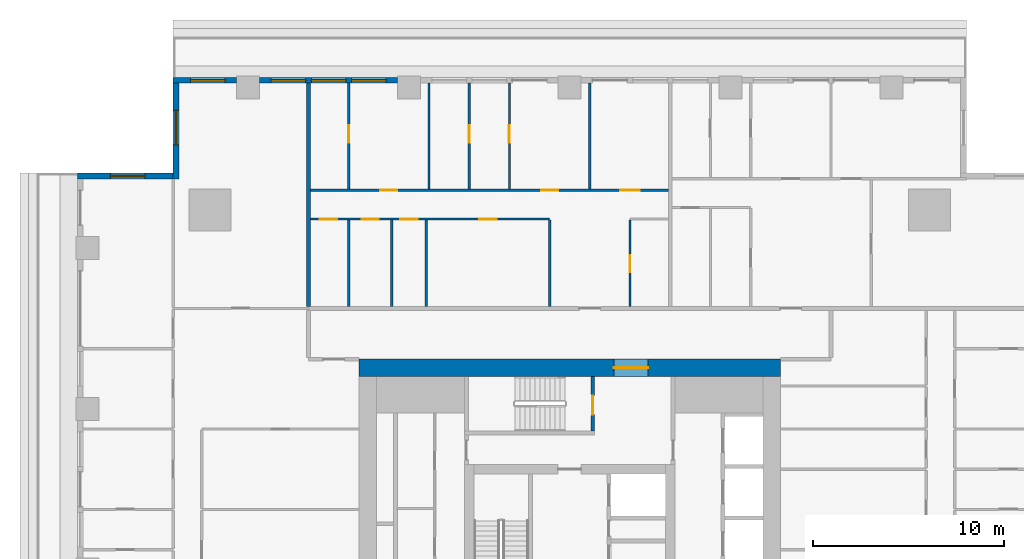
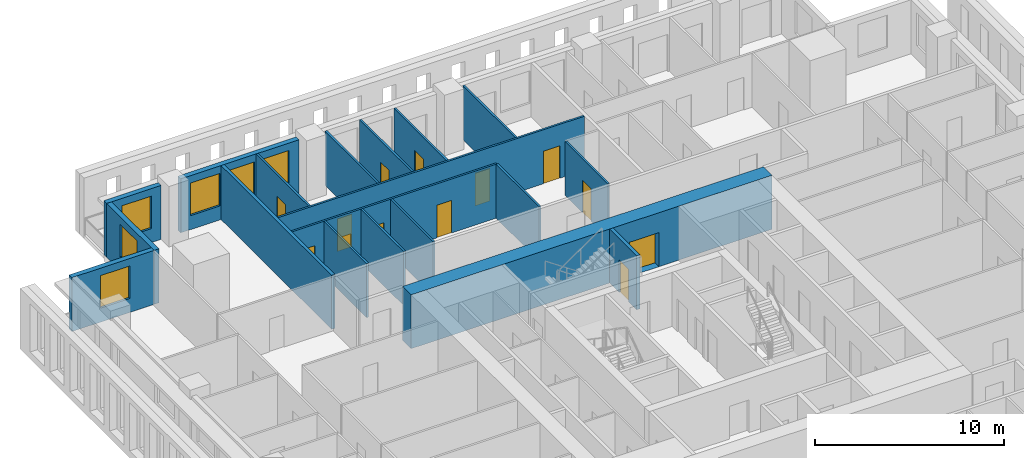
# One storey, part 7 of 15: 19 walls, 13 doors, 6 windows, 19 openings.
"""IFC4 building model written with IfcOpenShell, lengths in metres."""

import ifcopenshell
import ifcopenshell.guid

model = None  # the IFC model being written
_history = None  # IfcOwnerHistory: only IFC2X3 demands one
_inside = {}  # id of a spatial element -> (the spatial element, [elements in it])
_under = {}  # id of a project, library or spatial element -> (it, [spatial elements below it])
_declared = {}  # id of a project -> (the project, [libraries it declares])
_typed = {}  # id of a type object -> (the type object, [elements of that type])
_made_of = {}  # id of a material, layer set ... -> (it, [elements and type objects made of it])


def new_model(schema):
    """Start an empty IFC model of exactly this schema.

    Asked for "IFC4X3", IfcOpenShell would pick the latest addendum, in which some entities
    have other attributes; the version numbers below select the first issue.
    IFC2X3 requires an IfcOwnerHistory on every rooted entity: one is made here for all.
    """
    global model, _history
    if schema == "IFC4X3":
        model = ifcopenshell.file(schema_version=(4, 3, 0, 0))
    else:
        model = ifcopenshell.file(schema=schema)
    _inside.clear()
    _under.clear()
    _declared.clear()
    _typed.clear()
    _made_of.clear()
    _history = None
    if model.schema == "IFC2X3":
        org = make("IfcOrganization", Name="unknown")
        user = make(
            "IfcPersonAndOrganization",
            ThePerson=make("IfcPerson", FamilyName="unknown"),
            TheOrganization=org,
        )
        app = make(
            "IfcApplication",
            ApplicationDeveloper=org,
            Version="unknown",
            ApplicationFullName="unknown",
            ApplicationIdentifier="unknown",
        )
        _history = make(
            "IfcOwnerHistory",
            OwningUser=user,
            OwningApplication=app,
            ChangeAction="ADDED",
            CreationDate=0,
        )
    return model


def make(cls, **values):
    """One entity of the class cls with the attributes given. An attribute that is None is left unset."""
    return model.create_entity(
        cls, **{name: value for name, value in values.items() if value is not None}
    )


def rooted(cls, **values):
    """An entity with a GlobalId (a new one), such as an element, a storey or a relation."""
    return make(cls, GlobalId=ifcopenshell.guid.new(), OwnerHistory=_history, **values)


def si_unit(unit_type, name, prefix=None):
    """IfcSIUnit, for example si_unit("LENGTHUNIT", "METRE", prefix="MILLI")."""
    return make("IfcSIUnit", UnitType=unit_type, Prefix=prefix, Name=name)


def assignment(units):
    """IfcUnitAssignment: the units of a project."""
    return None if units is None else make("IfcUnitAssignment", Units=units)


def point(xyz):
    """IfcCartesianPoint."""
    return None if xyz is None else make("IfcCartesianPoint", Coordinates=xyz)


def direction(xyz):
    """IfcDirection."""
    return None if xyz is None else make("IfcDirection", DirectionRatios=xyz)


def frame(location, z_axis=None, x_axis=None):
    """IfcAxis2Placement3D, a coordinate frame: its origin and axes. An axis left out is left unset."""
    return make(
        "IfcAxis2Placement3D",
        Location=point(location),
        Axis=direction(z_axis),
        RefDirection=direction(x_axis),
    )


def frame_2d(location, x_axis=None):
    """IfcAxis2Placement2D, a coordinate frame in the plane: its origin and x axis."""
    return make(
        "IfcAxis2Placement2D", Location=point(location), RefDirection=direction(x_axis)
    )


def origin():
    """The frame at (0, 0, 0) with its axes left unset."""
    return frame((0.0, 0.0, 0.0))


def place(relative_to, where):
    """IfcLocalPlacement: puts the frame where relative to a parent placement (None: the world)."""
    return make(
        "IfcLocalPlacement", PlacementRelTo=relative_to, RelativePlacement=where
    )


def context(
    kind, dimensions, precision=None, world=None, true_north=None, identifier=None
):
    """IfcGeometricRepresentationContext, for example the 3D "Model" context."""
    return make(
        "IfcGeometricRepresentationContext",
        ContextIdentifier=identifier,
        ContextType=kind,
        CoordinateSpaceDimension=dimensions,
        Precision=precision,
        WorldCoordinateSystem=world,
        TrueNorth=true_north,
    )


def subcontext(parent, identifier, kind, view, scale=None):
    """IfcGeometricRepresentationSubContext, for example "Body" below "Model"."""
    return make(
        "IfcGeometricRepresentationSubContext",
        ContextIdentifier=identifier,
        ContextType=kind,
        ParentContext=parent,
        TargetScale=scale,
        TargetView=view,
    )


def project(units=None, contexts=None):
    """IfcProject with its units and contexts."""
    return rooted(
        "IfcProject",
        Name="project",
        RepresentationContexts=contexts,
        UnitsInContext=assignment(units),
    )


def spatial(cls, under=None, at=None, **own):
    """A site, building, storey or space (cls), placed at a placement, below another one or the project."""
    s = rooted(cls, ObjectPlacement=at, **own)
    if under is not None:
        _under.setdefault(under.id(), (under, []))[1].append(s)
    return s


def profile(cls, at=None, kind="AREA", **sizes):
    """A parametric profile (cls). Its sizes go by their IFC names, for example OverallWidth=200.0."""
    return make(cls, ProfileType=kind, Position=at, **sizes)


def rectangle(**sizes):
    """IfcRectangleProfileDef."""
    return profile("IfcRectangleProfileDef", **sizes)


def extrude(swept, where, along, depth):
    """IfcExtrudedAreaSolid: the profile swept, set in the frame where, extruded along a direction by depth."""
    return make(
        "IfcExtrudedAreaSolid",
        SweptArea=swept,
        Position=where,
        ExtrudedDirection=direction(along),
        Depth=depth,
    )


def shape(context_of_items, identifier, shape_type, items):
    """IfcShapeRepresentation: the items that make up one representation, for example the "Body"."""
    return make(
        "IfcShapeRepresentation",
        ContextOfItems=context_of_items,
        RepresentationIdentifier=identifier,
        RepresentationType=shape_type,
        Items=items,
    )


def material(Name=None, Category=None):
    """IfcMaterial."""
    return make("IfcMaterial", Name=Name, Category=Category)


def layer(
    of_material, thickness, ventilated=None, Name=None, Category=None, Priority=None
):
    """IfcMaterialLayer: one layer of a wall or slab, of a material (None: an air gap)."""
    return make(
        "IfcMaterialLayer",
        Material=of_material,
        LayerThickness=thickness,
        IsVentilated=ventilated,
        Name=Name,
        Category=Category,
        Priority=Priority,
    )


def layer_set(layers, Name=None):
    """IfcMaterialLayerSet."""
    return make("IfcMaterialLayerSet", MaterialLayers=layers, LayerSetName=Name)


def made_of(thing, what):
    """Note that an element or type object is made of a material, layer set ...; save() writes the relation."""
    if what is not None:
        _made_of.setdefault(what.id(), (what, []))[1].append(thing)
    return thing


def type_object(cls, material=None, **own):
    """A type object (cls), such as IfcWallType, which elements share."""
    return made_of(rooted(cls, **own), material)


def element(
    cls,
    number,
    at=None,
    inside=None,
    cuts=None,
    type_object=None,
    material=None,
    context=None,
    identifier="Body",
    shape_type=None,
    held_by="IfcProductDefinitionShape",
    body=None,
    shapes=None,
    **own,
):
    """One element of the class cls, such as IfcWall. Its Tag is "e" and its number.

    at: its placement. inside: the storey or other place that contains it. cuts: it is an
    opening in that element (IfcRelVoidsElement). A single representation is given by context,
    identifier, shape_type and body (its items); several are given by shapes. held_by: the class
    of the entity that holds the representations. save() writes the other relations.
    """
    e = rooted(cls, Tag="e%d" % number, ObjectPlacement=at, **own)
    if body is not None:
        shapes = [shape(context, identifier, shape_type, body)]
    if shapes is not None:
        e.Representation = make(held_by, Representations=shapes)
    if inside is not None:
        _inside.setdefault(inside.id(), (inside, []))[1].append(e)
    if cuts is not None:
        rooted(
            "IfcRelVoidsElement", RelatingBuildingElement=cuts, RelatedOpeningElement=e
        )
    if type_object is not None:
        _typed.setdefault(type_object.id(), (type_object, []))[1].append(e)
    return made_of(e, material)


def fill(opening, filler):
    """IfcRelFillsElement: the door or window that sits in an opening."""
    return rooted(
        "IfcRelFillsElement",
        RelatingOpeningElement=opening,
        RelatedBuildingElement=filler,
    )


def aggregate(whole, parts):
    """IfcRelAggregates: a whole, such as a stair, and the parts it consists of."""
    return rooted("IfcRelAggregates", RelatingObject=whole, RelatedObjects=parts)


def save(model, path):
    """Write the relations noted so far, then the file.

    IfcRelAggregates (storeys below a building ...), IfcRelContainedInSpatialStructure (elements
    in a storey), IfcRelDefinesByType, IfcRelAssociatesMaterial and IfcRelDeclares: one each for
    every whole, place, type object, material and project.
    """
    for whole, parts in _under.values():
        aggregate(whole, parts)
    for where, things in _inside.values():
        rooted(
            "IfcRelContainedInSpatialStructure",
            RelatedElements=things,
            RelatingStructure=where,
        )
    for kind, things in _typed.values():
        rooted("IfcRelDefinesByType", RelatedObjects=things, RelatingType=kind)
    for what, things in _made_of.values():
        rooted("IfcRelAssociatesMaterial", RelatedObjects=things, RelatingMaterial=what)
    for by, libraries in _declared.values():
        rooted("IfcRelDeclares", RelatingContext=by, RelatedDefinitions=libraries)
    model.write(path)


model = new_model("IFC4")

# Units and contexts
model_context = context("Model", 3, precision=1e-05, world=origin(), true_north=direction((0.0, 1.0)))
body_context = subcontext(model_context, "Body", "Model", "MODEL_VIEW")
ifc_project = project(units=[si_unit("LENGTHUNIT", "METRE"), si_unit("AREAUNIT", "SQUARE_METRE"), si_unit("VOLUMEUNIT", "CUBIC_METRE"), si_unit("PLANEANGLEUNIT", "RADIAN"), si_unit("MASSUNIT", "GRAM", prefix="KILO")], contexts=[model_context])

# Site, building, storey
site_placement = place(None, origin())
site = spatial("IfcSite", under=ifc_project, at=site_placement, CompositionType="ELEMENT")
building_placement = place(site_placement, origin())
building = spatial("IfcBuilding", under=site, at=building_placement, Name="Khepri Terraces", CompositionType="ELEMENT")
storey_placement = place(building_placement, frame((0.0, 0.0, 260.10009765625)))
storey = spatial("IfcBuildingStorey", under=building, at=storey_placement, Name="L62", CompositionType="ELEMENT", Elevation=260.10009765625)

# Wall, opening, door
ifc_material_1 = material(Name="Concrete C40/50", Category="concrete")
ifc_layer_1 = layer(ifc_material_1, 0.199951171875, Name="Concrete C40/50", Category="concrete")
ifc_layer_set_1 = layer_set([ifc_layer_1], Name="Concrete C40/50")
wall_type_1 = type_object("IfcWallType", Name="Core wall 200 C40/50", PredefinedType="SHEAR", material=ifc_layer_set_1)
wall_1_placement = place(storey_placement, frame((1.199951171875, 7.25, 0.0), z_axis=(0.0, 0.0, 1.0), x_axis=(0.0, 1.0, 0.0)))
wall_1 = element("IfcWall", 1, at=wall_1_placement, inside=storey, type_object=wall_type_1, Name="Core wall ST07 L62", PredefinedType="SHEAR", context=body_context, shape_type="SweptSolid", body=[
    extrude(rectangle(XDim=2.85009765625, YDim=0.199951171875, at=frame_2d((1.425048828125, 0.0))), origin(), (0.0, 0.0, 1.0), 3.47998046875),
])
opening_1_placement = place(wall_1_placement, frame((0.85009765625, 0.0, 0.0)))
opening_1 = element("IfcOpeningElement", 2, at=opening_1_placement, cuts=wall_1, Name="Opening L62-C15", PredefinedType="OPENING", context=body_context, shape_type="SweptSolid", body=[
    extrude(rectangle(XDim=1.0, YDim=2.10009765625, at=frame_2d((0.5, 1.050048828125))), frame((0.0, 0.10986328125, 0.0), z_axis=(0.0, -1.0, 0.0), x_axis=(1.0, 0.0, 0.0)), (0.0, 0.0, 1.0), 0.219970703125),
])
ifc_material_2 = material(Name="Painted steel", Category="steel")
door_type_1 = type_object("IfcDoorType", Name="DR-CORE-STAIR-1000", OperationType="NOTDEFINED", PredefinedType="DOOR", material=ifc_material_2)
door_1_placement = place(opening_1_placement, origin())
door_1 = element("IfcDoor", 3, at=door_1_placement, inside=storey, type_object=door_type_1, Name="Stair door L62-C15", OperationType="SINGLE_SWING_LEFT", OverallHeight=2.10009765625, OverallWidth=1.0, PredefinedType="DOOR", context=body_context, shape_type="SweptSolid", body=[
    extrude(rectangle(XDim=1.0, YDim=2.10009765625, at=frame_2d((0.5, 1.050048828125))), frame((0.0, 0.02490234375, 0.0), z_axis=(0.0, -1.0, 0.0), x_axis=(1.0, 0.0, 0.0)), (0.0, 0.0, 1.0), 0.050048828125),
])
fill(opening_1, door_1)

ifc_layer_2 = layer(ifc_material_1, 0.89990234375, Name="Concrete C40/50", Category="concrete")
ifc_layer_set_2 = layer_set([ifc_layer_2], Name="Concrete C40/50")
wall_type_2 = type_object("IfcWallType", Name="Core wall 900 C40/50", PredefinedType="SHEAR", material=ifc_layer_set_2)
wall_2_placement = place(storey_placement, frame((-11.0, 10.550048828125, 0.0), z_axis=(0.0, 0.0, 1.0), x_axis=(1.0, 0.0, 0.0)))
wall_2 = element("IfcWall", 4, at=wall_2_placement, inside=storey, type_object=wall_type_2, Name="Core wall OW-N L62", PredefinedType="SHEAR", context=body_context, shape_type="SweptSolid", body=[
    extrude(rectangle(XDim=22.0, YDim=0.89990234375, at=frame_2d((11.0, 0.0))), origin(), (0.0, 0.0, 1.0), 3.47998046875),
])
opening_2_placement = place(wall_2_placement, frame((13.300048828125, 0.0, 0.0)))
opening_2 = element("IfcOpeningElement", 5, at=opening_2_placement, cuts=wall_2, Name="Opening L62-C20", PredefinedType="OPENING", context=body_context, shape_type="SweptSolid", body=[
    extrude(rectangle(XDim=1.800048828125, YDim=2.199951171875, at=frame_2d((0.89990234375, 1.10009765625))), frame((0.0, 0.4599609375, 0.0), z_axis=(0.0, -1.0, 0.0), x_axis=(1.0, 0.0, 0.0)), (0.0, 0.0, 1.0), 0.919921875),
])
door_type_2 = type_object("IfcDoorType", Name="DR-CORE-ENTRANCE-1800", OperationType="NOTDEFINED", PredefinedType="DOOR", material=ifc_material_2)
door_2_placement = place(opening_2_placement, origin())
door_2 = element("IfcDoor", 6, at=door_2_placement, inside=storey, type_object=door_type_2, Name="Core entrance door pair L62-C20", OperationType="DOUBLE_DOOR_SINGLE_SWING", OverallHeight=2.199951171875, OverallWidth=1.800048828125, PredefinedType="DOOR", context=body_context, shape_type="SweptSolid", body=[
    extrude(rectangle(XDim=1.800048828125, YDim=2.199951171875, at=frame_2d((0.89990234375, 1.10009765625))), frame((0.0, 0.02490234375, 0.0), z_axis=(0.0, -1.0, 0.0), x_axis=(1.0, 0.0, 0.0)), (0.0, 0.0, 1.0), 0.050048828125),
])
fill(opening_2, door_2)

# Wall
ifc_material_3 = material(Name="Fire-rated gypsum plasterboard partition, mineral wool")
ifc_layer_3 = layer(ifc_material_3, 0.199951171875, Name="Fire-rated gypsum plasterboard partition, mineral wool")
ifc_layer_set_3 = layer_set([ifc_layer_3], Name="Fire-rated gypsum plasterboard partition, mineral wool")
wall_type_3 = type_object("IfcWallType", Name="WL-CORR-200", PredefinedType="PARTITIONING", material=ifc_layer_set_3)
wall_3_placement = place(storey_placement, frame((-13.64990234375, 13.75, 0.0), z_axis=(0.0, 0.0, 1.0), x_axis=(0.0, 1.0, 0.0)))
element("IfcWall", 7, at=wall_3_placement, inside=storey, type_object=wall_type_3, Name="Partition P-082 L62", PredefinedType="PARTITIONING", context=body_context, shape_type="SweptSolid", body=[
    extrude(rectangle(XDim=11.669921875, YDim=0.199951171875, at=frame_2d((5.8349609375, 0.0))), origin(), (0.0, 0.0, 1.0), 3.47998046875),
])

# Wall, openings, windows
ifc_material_4 = material(Name="Precast concrete C50/60 warm stone", Category="masonry")
ifc_layer_4 = layer(ifc_material_4, 0.300048828125, Name="Precast concrete C50/60 warm stone", Category="masonry")
ifc_layer_set_4 = layer_set([ifc_layer_4], Name="Precast concrete C50/60 warm stone")
wall_type_4 = type_object("IfcWallType", Name="WL-EXT-PRECAST-300", PredefinedType="STANDARD", material=ifc_layer_set_4)
wall_4_placement = place(storey_placement, frame((-9.0, 25.570068359375, 0.0), z_axis=(0.0, 0.0, 1.0), x_axis=(-1.0, 0.0, 0.0)))
wall_4 = element("IfcWall", 8, at=wall_4_placement, inside=storey, type_object=wall_type_4, Name="External wall L62 N", PredefinedType="STANDARD", context=body_context, shape_type="SweptSolid", body=[
    extrude(rectangle(XDim=7.199951171875, YDim=0.300048828125, at=frame_2d((3.60009765625, 0.0))), origin(), (0.0, 0.0, 1.0), 3.47998046875),
])
opening_3_placement = place(wall_4_placement, frame((0.60009765625, 0.0, 0.89990234375)))
opening_3 = element("IfcOpeningElement", 9, at=opening_3_placement, cuts=wall_4, Name="Opening W1", PredefinedType="OPENING", context=body_context, shape_type="SweptSolid", body=[
    extrude(rectangle(XDim=1.800048828125, YDim=2.10009765625, at=frame_2d((0.89990234375, 1.050048828125))), frame((0.0, 0.16015625, 0.0), z_axis=(0.0, -1.0, 0.0), x_axis=(1.0, 0.0, 0.0)), (0.0, 0.0, 1.0), 0.320068359375),
])
opening_4_placement = place(wall_4_placement, frame((2.699951171875, 0.0, 0.89990234375)))
opening_4 = element("IfcOpeningElement", 10, at=opening_4_placement, cuts=wall_4, Name="Opening W1", PredefinedType="OPENING", context=body_context, shape_type="SweptSolid", body=[
    extrude(rectangle(XDim=1.800048828125, YDim=2.10009765625, at=frame_2d((0.89990234375, 1.050048828125))), frame((0.0, 0.16015625, 0.0), z_axis=(0.0, -1.0, 0.0), x_axis=(1.0, 0.0, 0.0)), (0.0, 0.0, 1.0), 0.320068359375),
])
opening_5_placement = place(wall_4_placement, frame((4.800048828125, 0.0, 0.89990234375)))
opening_5 = element("IfcOpeningElement", 11, at=opening_5_placement, cuts=wall_4, Name="Opening W1", PredefinedType="OPENING", context=body_context, shape_type="SweptSolid", body=[
    extrude(rectangle(XDim=1.800048828125, YDim=2.10009765625, at=frame_2d((0.89990234375, 1.050048828125))), frame((0.0, 0.16015625, 0.0), z_axis=(0.0, -1.0, 0.0), x_axis=(1.0, 0.0, 0.0)), (0.0, 0.0, 1.0), 0.320068359375),
])
ifc_material_5 = material(Name="Clear glass", Category="glass")
window_type = type_object("IfcWindowType", Name="WIN-RES-1800x2100", PartitioningType="SINGLE_PANEL", PredefinedType="WINDOW", material=ifc_material_5)
window_1_placement = place(opening_3_placement, origin())
window_1 = element("IfcWindow", 12, at=window_1_placement, inside=storey, type_object=window_type, Name="Window L62 N", OverallHeight=2.10009765625, OverallWidth=1.800048828125, PartitioningType="SINGLE_PANEL", PredefinedType="WINDOW", context=body_context, shape_type="SweptSolid", body=[
    extrude(rectangle(XDim=1.800048828125, YDim=2.10009765625, at=frame_2d((0.89990234375, 1.050048828125))), frame((0.0, 0.030029296875, 0.0), z_axis=(0.0, -1.0, 0.0), x_axis=(1.0, 0.0, 0.0)), (0.0, 0.0, 1.0), 0.06005859375),
])
fill(opening_3, window_1)
window_2_placement = place(opening_4_placement, origin())
window_2 = element("IfcWindow", 13, at=window_2_placement, inside=storey, type_object=window_type, Name="Window L62 N", OverallHeight=2.10009765625, OverallWidth=1.800048828125, PartitioningType="SINGLE_PANEL", PredefinedType="WINDOW", context=body_context, shape_type="SweptSolid", body=[
    extrude(rectangle(XDim=1.800048828125, YDim=2.10009765625, at=frame_2d((0.89990234375, 1.050048828125))), frame((0.0, 0.030029296875, 0.0), z_axis=(0.0, -1.0, 0.0), x_axis=(1.0, 0.0, 0.0)), (0.0, 0.0, 1.0), 0.06005859375),
])
fill(opening_4, window_2)
window_3_placement = place(opening_5_placement, origin())
window_3 = element("IfcWindow", 14, at=window_3_placement, inside=storey, type_object=window_type, Name="Window L62 N", OverallHeight=2.10009765625, OverallWidth=1.800048828125, PartitioningType="SINGLE_PANEL", PredefinedType="WINDOW", context=body_context, shape_type="SweptSolid", body=[
    extrude(rectangle(XDim=1.800048828125, YDim=2.10009765625, at=frame_2d((0.89990234375, 1.050048828125))), frame((0.0, 0.030029296875, 0.0), z_axis=(0.0, -1.0, 0.0), x_axis=(1.0, 0.0, 0.0)), (0.0, 0.0, 1.0), 0.06005859375),
])
fill(opening_5, window_3)

# Wall, opening, window
wall_5_placement = place(storey_placement, frame((-17.39990234375, 25.570068359375, 0.0), z_axis=(0.0, 0.0, 1.0), x_axis=(-1.0, 0.0, 0.0)))
wall_5 = element("IfcWall", 15, at=wall_5_placement, inside=storey, type_object=wall_type_4, Name="External wall L62 N", PredefinedType="STANDARD", context=body_context, shape_type="SweptSolid", body=[
    extrude(rectangle(XDim=3.320068359375, YDim=0.300048828125, at=frame_2d((1.66015625, 0.0))), origin(), (0.0, 0.0, 1.0), 3.47998046875),
])
opening_6_placement = place(wall_5_placement, frame((0.60009765625, 0.0, 0.89990234375)))
opening_6 = element("IfcOpeningElement", 16, at=opening_6_placement, cuts=wall_5, Name="Opening W1", PredefinedType="OPENING", context=body_context, shape_type="SweptSolid", body=[
    extrude(rectangle(XDim=1.800048828125, YDim=2.10009765625, at=frame_2d((0.89990234375, 1.050048828125))), frame((0.0, 0.16015625, 0.0), z_axis=(0.0, -1.0, 0.0), x_axis=(1.0, 0.0, 0.0)), (0.0, 0.0, 1.0), 0.320068359375),
])
window_4_placement = place(opening_6_placement, origin())
window_4 = element("IfcWindow", 17, at=window_4_placement, inside=storey, type_object=window_type, Name="Window L62 N", OverallHeight=2.10009765625, OverallWidth=1.800048828125, PartitioningType="SINGLE_PANEL", PredefinedType="WINDOW", context=body_context, shape_type="SweptSolid", body=[
    extrude(rectangle(XDim=1.800048828125, YDim=2.10009765625, at=frame_2d((0.89990234375, 1.050048828125))), frame((0.0, 0.030029296875, 0.0), z_axis=(0.0, -1.0, 0.0), x_axis=(1.0, 0.0, 0.0)), (0.0, 0.0, 1.0), 0.06005859375),
])
fill(opening_6, window_4)

wall_6_placement = place(storey_placement, frame((-20.570068359375, 25.419921875, 0.0), z_axis=(0.0, 0.0, 1.0), x_axis=(0.0, -1.0, 0.0)))
wall_6 = element("IfcWall", 18, at=wall_6_placement, inside=storey, type_object=wall_type_4, Name="External wall L62 W", PredefinedType="STANDARD", context=body_context, shape_type="SweptSolid", body=[
    extrude(rectangle(XDim=5.0, YDim=0.300048828125, at=frame_2d((2.5, 0.0))), origin(), (0.0, 0.0, 1.0), 3.47998046875),
])
opening_7_placement = place(wall_6_placement, frame((1.419921875, 0.0, 0.89990234375)))
opening_7 = element("IfcOpeningElement", 19, at=opening_7_placement, cuts=wall_6, Name="Opening W1", PredefinedType="OPENING", context=body_context, shape_type="SweptSolid", body=[
    extrude(rectangle(XDim=1.800048828125, YDim=2.10009765625, at=frame_2d((0.89990234375, 1.050048828125))), frame((0.0, 0.16015625, 0.0), z_axis=(0.0, -1.0, 0.0), x_axis=(1.0, 0.0, 0.0)), (0.0, 0.0, 1.0), 0.320068359375),
])
window_5_placement = place(opening_7_placement, origin())
window_5 = element("IfcWindow", 20, at=window_5_placement, inside=storey, type_object=window_type, Name="Window L62 W", OverallHeight=2.10009765625, OverallWidth=1.800048828125, PartitioningType="SINGLE_PANEL", PredefinedType="WINDOW", context=body_context, shape_type="SweptSolid", body=[
    extrude(rectangle(XDim=1.800048828125, YDim=2.10009765625, at=frame_2d((0.89990234375, 1.050048828125))), frame((0.0, 0.030029296875, 0.0), z_axis=(0.0, -1.0, 0.0), x_axis=(1.0, 0.0, 0.0)), (0.0, 0.0, 1.0), 0.06005859375),
])
fill(opening_7, window_5)

wall_7_placement = place(storey_placement, frame((-20.719970703125, 20.570068359375, 0.0), z_axis=(0.0, 0.0, 1.0), x_axis=(-1.0, 0.0, 0.0)))
wall_7 = element("IfcWall", 21, at=wall_7_placement, inside=storey, type_object=wall_type_4, Name="External wall L62 N", PredefinedType="STANDARD", context=body_context, shape_type="SweptSolid", body=[
    extrude(rectangle(XDim=5.0, YDim=0.300048828125, at=frame_2d((2.5, 0.0))), origin(), (0.0, 0.0, 1.0), 3.47998046875),
])
opening_8_placement = place(wall_7_placement, frame((1.47998046875, 0.0, 0.89990234375)))
opening_8 = element("IfcOpeningElement", 22, at=opening_8_placement, cuts=wall_7, Name="Opening W1", PredefinedType="OPENING", context=body_context, shape_type="SweptSolid", body=[
    extrude(rectangle(XDim=1.800048828125, YDim=2.10009765625, at=frame_2d((0.89990234375, 1.050048828125))), frame((0.0, 0.16015625, 0.0), z_axis=(0.0, -1.0, 0.0), x_axis=(1.0, 0.0, 0.0)), (0.0, 0.0, 1.0), 0.320068359375),
])
window_6_placement = place(opening_8_placement, origin())
window_6 = element("IfcWindow", 23, at=window_6_placement, inside=storey, type_object=window_type, Name="Window L62 N", OverallHeight=2.10009765625, OverallWidth=1.800048828125, PartitioningType="SINGLE_PANEL", PredefinedType="WINDOW", context=body_context, shape_type="SweptSolid", body=[
    extrude(rectangle(XDim=1.800048828125, YDim=2.10009765625, at=frame_2d((0.89990234375, 1.050048828125))), frame((0.0, 0.030029296875, 0.0), z_axis=(0.0, -1.0, 0.0), x_axis=(1.0, 0.0, 0.0)), (0.0, 0.0, 1.0), 0.06005859375),
])
fill(opening_8, window_6)

# Walls
ifc_material_6 = material(Name="Gypsum plasterboard partition")
ifc_layer_5 = layer(ifc_material_6, 0.1201171875, Name="Gypsum plasterboard partition")
ifc_layer_set_5 = layer_set([ifc_layer_5], Name="Gypsum plasterboard partition")
wall_type_5 = type_object("IfcWallType", Name="WL-PART-120", PredefinedType="PARTITIONING", material=ifc_layer_set_5)
for number, where, z_axis, x_axis, name in (
    (24, (-11.550048828125, 13.75, 0.0), (0.0, 0.0, 1.0), (0.0, 1.0, 0.0), "Partition P-083 L62"),
    (25, (-9.300048828125, 13.75, 0.0), (0.0, 0.0, 1.0), (0.0, 1.0, 0.0), "Partition P-084 L62"),
    (26, (-7.5, 13.75, 0.0), (0.0, 0.0, 1.0), (0.0, 1.0, 0.0), "Partition P-085 L62"),
    (27, (-1.050048828125, 13.75, 0.0), (0.0, 0.0, 1.0), (0.0, 1.0, 0.0), "Partition P-086 L62"),
):
    element("IfcWall", number, at=place(storey_placement, frame(where, z_axis=z_axis, x_axis=x_axis)), inside=storey, type_object=wall_type_5, Name=name, PredefinedType="PARTITIONING", context=body_context, shape_type="SweptSolid", body=[
        extrude(rectangle(XDim=4.510009765625, YDim=0.1201171875, at=frame_2d((2.2548828125, 0.0))), origin(), (0.0, 0.0, 1.0), 3.47998046875),
    ])

# Wall, opening, door
wall_8_placement = place(storey_placement, frame((3.14990234375, 13.75, 0.0), z_axis=(0.0, 0.0, 1.0), x_axis=(0.0, 1.0, 0.0)))
wall_8 = element("IfcWall", 28, at=wall_8_placement, inside=storey, type_object=wall_type_5, Name="Partition P-087 L62", PredefinedType="PARTITIONING", context=body_context, shape_type="SweptSolid", body=[
    extrude(rectangle(XDim=4.510009765625, YDim=0.1201171875, at=frame_2d((2.2548828125, 0.0))), origin(), (0.0, 0.0, 1.0), 3.47998046875),
])
opening_9_placement = place(wall_8_placement, frame((1.784912109375, 0.0, 0.0)))
opening_9 = element("IfcOpeningElement", 29, at=opening_9_placement, cuts=wall_8, Name="Opening D3", PredefinedType="OPENING", context=body_context, shape_type="SweptSolid", body=[
    extrude(rectangle(XDim=0.89990234375, YDim=2.10009765625, at=frame_2d((0.449951171875, 1.050048828125))), frame((0.0, 0.070068359375, 0.0), z_axis=(0.0, -1.0, 0.0), x_axis=(1.0, 0.0, 0.0)), (0.0, 0.0, 1.0), 0.14013671875),
])
ifc_material_7 = material(Name="Timber door leaf", Category="wood")
door_type_3 = type_object("IfcDoorType", Name="DR-INT-900", OperationType="NOTDEFINED", PredefinedType="DOOR", material=ifc_material_7)
door_3_placement = place(opening_9_placement, frame((0.89990234375, 0.0, 0.0), z_axis=(0.0, 0.0, 1.0), x_axis=(-1.0, 0.0, 0.0)))
door_3 = element("IfcDoor", 30, at=door_3_placement, inside=storey, type_object=door_type_3, Name="Door Utility Room", OperationType="SINGLE_SWING_RIGHT", OverallHeight=2.10009765625, OverallWidth=0.89990234375, PredefinedType="DOOR", context=body_context, shape_type="SweptSolid", body=[
    extrude(rectangle(XDim=0.89990234375, YDim=2.10009765625, at=frame_2d((0.449951171875, 1.050048828125))), frame((0.0, 0.02490234375, 0.0), z_axis=(0.0, -1.0, 0.0), x_axis=(1.0, 0.0, 0.0)), (0.0, 0.0, 1.0), 0.050048828125),
])
fill(opening_9, door_3)

# Wall, openings, doors
wall_9_placement = place(storey_placement, frame((-13.550048828125, 18.320068359375, 0.0), z_axis=(0.0, 0.0, 1.0), x_axis=(1.0, 0.0, 0.0)))
wall_9 = element("IfcWall", 31, at=wall_9_placement, inside=storey, type_object=wall_type_5, Name="Partition P-092 L62", PredefinedType="PARTITIONING", context=body_context, shape_type="SweptSolid", body=[
    extrude(rectangle(XDim=12.5, YDim=0.1201171875, at=frame_2d((6.25, 0.0))), origin(), (0.0, 0.0, 1.0), 3.47998046875),
])
opening_10_placement = place(wall_9_placement, frame((8.824951171875, 0.0, 0.0)))
opening_10 = element("IfcOpeningElement", 32, at=opening_10_placement, cuts=wall_9, Name="Opening D3", PredefinedType="OPENING", context=body_context, shape_type="SweptSolid", body=[
    extrude(rectangle(XDim=0.89990234375, YDim=2.10009765625, at=frame_2d((0.449951171875, 1.050048828125))), frame((0.0, 0.070068359375, 0.0), z_axis=(0.0, -1.0, 0.0), x_axis=(1.0, 0.0, 0.0)), (0.0, 0.0, 1.0), 0.14013671875),
])
opening_11_placement = place(wall_9_placement, frame((4.699951171875, 0.0, 0.0)))
opening_11 = element("IfcOpeningElement", 33, at=opening_11_placement, cuts=wall_9, Name="Opening D3", PredefinedType="OPENING", context=body_context, shape_type="SweptSolid", body=[
    extrude(rectangle(XDim=0.89990234375, YDim=2.10009765625, at=frame_2d((0.449951171875, 1.050048828125))), frame((0.0, 0.070068359375, 0.0), z_axis=(0.0, -1.0, 0.0), x_axis=(1.0, 0.0, 0.0)), (0.0, 0.0, 1.0), 0.14013671875),
])
opening_12_placement = place(wall_9_placement, frame((2.675048828125, 0.0, 0.0)))
opening_12 = element("IfcOpeningElement", 34, at=opening_12_placement, cuts=wall_9, Name="Opening D4", PredefinedType="OPENING", context=body_context, shape_type="SweptSolid", body=[
    extrude(rectangle(XDim=0.89990234375, YDim=2.10009765625, at=frame_2d((0.449951171875, 1.050048828125))), frame((0.0, 0.070068359375, 0.0), z_axis=(0.0, -1.0, 0.0), x_axis=(1.0, 0.0, 0.0)), (0.0, 0.0, 1.0), 0.14013671875),
])
opening_13_placement = place(wall_9_placement, frame((0.5, 0.0, 0.0)))
opening_13 = element("IfcOpeningElement", 35, at=opening_13_placement, cuts=wall_9, Name="Opening D4", PredefinedType="OPENING", context=body_context, shape_type="SweptSolid", body=[
    extrude(rectangle(XDim=0.89990234375, YDim=2.10009765625, at=frame_2d((0.449951171875, 1.050048828125))), frame((0.0, 0.070068359375, 0.0), z_axis=(0.0, -1.0, 0.0), x_axis=(1.0, 0.0, 0.0)), (0.0, 0.0, 1.0), 0.14013671875),
])
door_4_placement = place(opening_10_placement, frame((0.89990234375, 0.0, 0.0), z_axis=(0.0, 0.0, 1.0), x_axis=(-1.0, 0.0, 0.0)))
door_4 = element("IfcDoor", 36, at=door_4_placement, inside=storey, type_object=door_type_3, Name="Door Kitchen", OperationType="SINGLE_SWING_LEFT", OverallHeight=2.10009765625, OverallWidth=0.89990234375, PredefinedType="DOOR", context=body_context, shape_type="SweptSolid", body=[
    extrude(rectangle(XDim=0.89990234375, YDim=2.10009765625, at=frame_2d((0.449951171875, 1.050048828125))), frame((0.0, 0.02490234375, 0.0), z_axis=(0.0, -1.0, 0.0), x_axis=(1.0, 0.0, 0.0)), (0.0, 0.0, 1.0), 0.050048828125),
])
fill(opening_10, door_4)
door_5_placement = place(opening_11_placement, frame((0.89990234375, 0.0, 0.0), z_axis=(0.0, 0.0, 1.0), x_axis=(-1.0, 0.0, 0.0)))
door_5 = element("IfcDoor", 37, at=door_5_placement, inside=storey, type_object=door_type_3, Name="Door Service Store", OperationType="SINGLE_SWING_RIGHT", OverallHeight=2.10009765625, OverallWidth=0.89990234375, PredefinedType="DOOR", context=body_context, shape_type="SweptSolid", body=[
    extrude(rectangle(XDim=0.89990234375, YDim=2.10009765625, at=frame_2d((0.449951171875, 1.050048828125))), frame((0.0, 0.02490234375, 0.0), z_axis=(0.0, -1.0, 0.0), x_axis=(1.0, 0.0, 0.0)), (0.0, 0.0, 1.0), 0.050048828125),
])
fill(opening_11, door_5)
ifc_material_8 = material(Name="Timber door leaf, moisture resistant", Category="wood")
door_type_4 = type_object("IfcDoorType", Name="DR-WET-900", OperationType="NOTDEFINED", PredefinedType="DOOR", material=ifc_material_8)
door_6_placement = place(opening_12_placement, frame((0.89990234375, 0.0, 0.0), z_axis=(0.0, 0.0, 1.0), x_axis=(-1.0, 0.0, 0.0)))
door_6 = element("IfcDoor", 38, at=door_6_placement, inside=storey, type_object=door_type_4, Name="Door Powder Room", OperationType="SINGLE_SWING_RIGHT", OverallHeight=2.10009765625, OverallWidth=0.89990234375, PredefinedType="DOOR", context=body_context, shape_type="SweptSolid", body=[
    extrude(rectangle(XDim=0.89990234375, YDim=2.10009765625, at=frame_2d((0.449951171875, 1.050048828125))), frame((0.0, 0.02490234375, 0.0), z_axis=(0.0, -1.0, 0.0), x_axis=(1.0, 0.0, 0.0)), (0.0, 0.0, 1.0), 0.050048828125),
])
fill(opening_12, door_6)
door_7_placement = place(opening_13_placement, frame((0.89990234375, 0.0, 0.0), z_axis=(0.0, 0.0, 1.0), x_axis=(-1.0, 0.0, 0.0)))
door_7 = element("IfcDoor", 39, at=door_7_placement, inside=storey, type_object=door_type_4, Name="Door Guest Bathroom", OperationType="SINGLE_SWING_RIGHT", OverallHeight=2.10009765625, OverallWidth=0.89990234375, PredefinedType="DOOR", context=body_context, shape_type="SweptSolid", body=[
    extrude(rectangle(XDim=0.89990234375, YDim=2.10009765625, at=frame_2d((0.449951171875, 1.050048828125))), frame((0.0, 0.02490234375, 0.0), z_axis=(0.0, -1.0, 0.0), x_axis=(1.0, 0.0, 0.0)), (0.0, 0.0, 1.0), 0.050048828125),
])
fill(opening_13, door_7)

wall_10_placement = place(storey_placement, frame((-13.550048828125, 19.820068359375, 0.0), z_axis=(0.0, 0.0, 1.0), x_axis=(1.0, 0.0, 0.0)))
wall_10 = element("IfcWall", 40, at=wall_10_placement, inside=storey, type_object=wall_type_5, Name="Partition P-095 L62", PredefinedType="PARTITIONING", context=body_context, shape_type="SweptSolid", body=[
    extrude(rectangle(XDim=18.699951171875, YDim=0.1201171875, at=frame_2d((9.35009765625, 0.0))), origin(), (0.0, 0.0, 1.0), 3.47998046875),
])
opening_14_placement = place(wall_10_placement, frame((16.199951171875, 0.0, 0.0)))
opening_14 = element("IfcOpeningElement", 41, at=opening_14_placement, cuts=wall_10, Name="Opening D2", PredefinedType="OPENING", context=body_context, shape_type="SweptSolid", body=[
    extrude(rectangle(XDim=1.0, YDim=2.10009765625, at=frame_2d((0.5, 1.050048828125))), frame((0.0, 0.070068359375, 0.0), z_axis=(0.0, -1.0, 0.0), x_axis=(1.0, 0.0, 0.0)), (0.0, 0.0, 1.0), 0.14013671875),
])
opening_15_placement = place(wall_10_placement, frame((12.050048828125, 0.0, 0.0)))
opening_15 = element("IfcOpeningElement", 42, at=opening_15_placement, cuts=wall_10, Name="Opening D3", PredefinedType="OPENING", context=body_context, shape_type="SweptSolid", body=[
    extrude(rectangle(XDim=0.89990234375, YDim=2.10009765625, at=frame_2d((0.449951171875, 1.050048828125))), frame((0.0, 0.070068359375, 0.0), z_axis=(0.0, -1.0, 0.0), x_axis=(1.0, 0.0, 0.0)), (0.0, 0.0, 1.0), 0.14013671875),
])
opening_16_placement = place(wall_10_placement, frame((3.64990234375, 0.0, 0.0)))
opening_16 = element("IfcOpeningElement", 43, at=opening_16_placement, cuts=wall_10, Name="Opening D3", PredefinedType="OPENING", context=body_context, shape_type="SweptSolid", body=[
    extrude(rectangle(XDim=0.89990234375, YDim=2.10009765625, at=frame_2d((0.449951171875, 1.050048828125))), frame((0.0, 0.070068359375, 0.0), z_axis=(0.0, -1.0, 0.0), x_axis=(1.0, 0.0, 0.0)), (0.0, 0.0, 1.0), 0.14013671875),
])
ifc_material_9 = material(Name="Timber door leaf, living room door", Category="wood")
door_type_5 = type_object("IfcDoorType", Name="DR-INT-1000", OperationType="NOTDEFINED", PredefinedType="DOOR", material=ifc_material_9)
door_8_placement = place(opening_14_placement, origin())
door_8 = element("IfcDoor", 44, at=door_8_placement, inside=storey, type_object=door_type_5, Name="Door Living Room", OperationType="SINGLE_SWING_RIGHT", OverallHeight=2.10009765625, OverallWidth=1.0, PredefinedType="DOOR", context=body_context, shape_type="SweptSolid", body=[
    extrude(rectangle(XDim=1.0, YDim=2.10009765625, at=frame_2d((0.5, 1.050048828125))), frame((0.0, 0.02490234375, 0.0), z_axis=(0.0, -1.0, 0.0), x_axis=(1.0, 0.0, 0.0)), (0.0, 0.0, 1.0), 0.050048828125),
])
fill(opening_14, door_8)
door_9_placement = place(opening_15_placement, origin())
door_9 = element("IfcDoor", 45, at=door_9_placement, inside=storey, type_object=door_type_3, Name="Door Master Bedroom", OperationType="SINGLE_SWING_RIGHT", OverallHeight=2.10009765625, OverallWidth=0.89990234375, PredefinedType="DOOR", context=body_context, shape_type="SweptSolid", body=[
    extrude(rectangle(XDim=0.89990234375, YDim=2.10009765625, at=frame_2d((0.449951171875, 1.050048828125))), frame((0.0, 0.02490234375, 0.0), z_axis=(0.0, -1.0, 0.0), x_axis=(1.0, 0.0, 0.0)), (0.0, 0.0, 1.0), 0.050048828125),
])
fill(opening_15, door_9)
door_10_placement = place(opening_16_placement, origin())
door_10 = element("IfcDoor", 46, at=door_10_placement, inside=storey, type_object=door_type_3, Name="Door Bedroom", OperationType="SINGLE_SWING_LEFT", OverallHeight=2.10009765625, OverallWidth=0.89990234375, PredefinedType="DOOR", context=body_context, shape_type="SweptSolid", body=[
    extrude(rectangle(XDim=0.89990234375, YDim=2.10009765625, at=frame_2d((0.449951171875, 1.050048828125))), frame((0.0, 0.02490234375, 0.0), z_axis=(0.0, -1.0, 0.0), x_axis=(1.0, 0.0, 0.0)), (0.0, 0.0, 1.0), 0.050048828125),
])
fill(opening_16, door_10)

# Wall, opening, door
wall_11_placement = place(storey_placement, frame((-11.550048828125, 19.8798828125, 0.0), z_axis=(0.0, 0.0, 1.0), x_axis=(0.0, 1.0, 0.0)))
wall_11 = element("IfcWall", 47, at=wall_11_placement, inside=storey, type_object=wall_type_5, Name="Partition P-096 L62", PredefinedType="PARTITIONING", context=body_context, shape_type="SweptSolid", body=[
    extrude(rectangle(XDim=5.5400390625, YDim=0.1201171875, at=frame_2d((2.77001953125, 0.0))), origin(), (0.0, 0.0, 1.0), 3.47998046875),
])
opening_17_placement = place(wall_11_placement, frame((2.43994140625, 0.0, 0.0)))
opening_17 = element("IfcOpeningElement", 48, at=opening_17_placement, cuts=wall_11, Name="Opening D4", PredefinedType="OPENING", context=body_context, shape_type="SweptSolid", body=[
    extrude(rectangle(XDim=0.89990234375, YDim=2.10009765625, at=frame_2d((0.449951171875, 1.050048828125))), frame((0.0, 0.070068359375, 0.0), z_axis=(0.0, -1.0, 0.0), x_axis=(1.0, 0.0, 0.0)), (0.0, 0.0, 1.0), 0.14013671875),
])
door_11_placement = place(opening_17_placement, origin())
door_11 = element("IfcDoor", 49, at=door_11_placement, inside=storey, type_object=door_type_4, Name="Door Bathroom", OperationType="SINGLE_SWING_RIGHT", OverallHeight=2.10009765625, OverallWidth=0.89990234375, PredefinedType="DOOR", context=body_context, shape_type="SweptSolid", body=[
    extrude(rectangle(XDim=0.89990234375, YDim=2.10009765625, at=frame_2d((0.449951171875, 1.050048828125))), frame((0.0, 0.02490234375, 0.0), z_axis=(0.0, -1.0, 0.0), x_axis=(1.0, 0.0, 0.0)), (0.0, 0.0, 1.0), 0.050048828125),
])
fill(opening_17, door_11)

# Wall
wall_12_placement = place(storey_placement, frame((-7.35009765625, 19.8798828125, 0.0), z_axis=(0.0, 0.0, 1.0), x_axis=(0.0, 1.0, 0.0)))
element("IfcWall", 50, at=wall_12_placement, inside=storey, type_object=wall_type_5, Name="Partition P-097 L62", PredefinedType="PARTITIONING", context=body_context, shape_type="SweptSolid", body=[
    extrude(rectangle(XDim=5.5400390625, YDim=0.1201171875, at=frame_2d((2.77001953125, 0.0))), origin(), (0.0, 0.0, 1.0), 3.47998046875),
])

# Wall, opening, door
wall_13_placement = place(storey_placement, frame((-5.25, 19.8798828125, 0.0), z_axis=(0.0, 0.0, 1.0), x_axis=(0.0, 1.0, 0.0)))
wall_13 = element("IfcWall", 51, at=wall_13_placement, inside=storey, type_object=wall_type_5, Name="Partition P-098 L62", PredefinedType="PARTITIONING", context=body_context, shape_type="SweptSolid", body=[
    extrude(rectangle(XDim=5.5400390625, YDim=0.1201171875, at=frame_2d((2.77001953125, 0.0))), origin(), (0.0, 0.0, 1.0), 3.47998046875),
])
opening_18_placement = place(wall_13_placement, frame((2.43994140625, 0.0, 0.0)))
opening_18 = element("IfcOpeningElement", 52, at=opening_18_placement, cuts=wall_13, Name="Opening D4", PredefinedType="OPENING", context=body_context, shape_type="SweptSolid", body=[
    extrude(rectangle(XDim=0.89990234375, YDim=2.10009765625, at=frame_2d((0.449951171875, 1.050048828125))), frame((0.0, 0.070068359375, 0.0), z_axis=(0.0, -1.0, 0.0), x_axis=(1.0, 0.0, 0.0)), (0.0, 0.0, 1.0), 0.14013671875),
])
door_12_placement = place(opening_18_placement, origin())
door_12 = element("IfcDoor", 53, at=door_12_placement, inside=storey, type_object=door_type_4, Name="Door Bathroom", OperationType="SINGLE_SWING_RIGHT", OverallHeight=2.10009765625, OverallWidth=0.89990234375, PredefinedType="DOOR", context=body_context, shape_type="SweptSolid", body=[
    extrude(rectangle(XDim=0.89990234375, YDim=2.10009765625, at=frame_2d((0.449951171875, 1.050048828125))), frame((0.0, 0.02490234375, 0.0), z_axis=(0.0, -1.0, 0.0), x_axis=(1.0, 0.0, 0.0)), (0.0, 0.0, 1.0), 0.050048828125),
])
fill(opening_18, door_12)

wall_14_placement = place(storey_placement, frame((-3.14990234375, 19.8798828125, 0.0), z_axis=(0.0, 0.0, 1.0), x_axis=(0.0, 1.0, 0.0)))
wall_14 = element("IfcWall", 54, at=wall_14_placement, inside=storey, type_object=wall_type_5, Name="Partition P-099 L62", PredefinedType="PARTITIONING", context=body_context, shape_type="SweptSolid", body=[
    extrude(rectangle(XDim=5.5400390625, YDim=0.1201171875, at=frame_2d((2.77001953125, 0.0))), origin(), (0.0, 0.0, 1.0), 3.47998046875),
])
opening_19_placement = place(wall_14_placement, frame((2.43994140625, 0.0, 0.0)))
opening_19 = element("IfcOpeningElement", 55, at=opening_19_placement, cuts=wall_14, Name="Opening D3", PredefinedType="OPENING", context=body_context, shape_type="SweptSolid", body=[
    extrude(rectangle(XDim=0.89990234375, YDim=2.10009765625, at=frame_2d((0.449951171875, 1.050048828125))), frame((0.0, 0.070068359375, 0.0), z_axis=(0.0, -1.0, 0.0), x_axis=(1.0, 0.0, 0.0)), (0.0, 0.0, 1.0), 0.14013671875),
])
door_13_placement = place(opening_19_placement, origin())
door_13 = element("IfcDoor", 56, at=door_13_placement, inside=storey, type_object=door_type_3, Name="Door Dressing Room", OperationType="SINGLE_SWING_RIGHT", OverallHeight=2.10009765625, OverallWidth=0.89990234375, PredefinedType="DOOR", context=body_context, shape_type="SweptSolid", body=[
    extrude(rectangle(XDim=0.89990234375, YDim=2.10009765625, at=frame_2d((0.449951171875, 1.050048828125))), frame((0.0, 0.02490234375, 0.0), z_axis=(0.0, -1.0, 0.0), x_axis=(1.0, 0.0, 0.0)), (0.0, 0.0, 1.0), 0.050048828125),
])
fill(opening_19, door_13)

# Wall
wall_15_placement = place(storey_placement, frame((1.050048828125, 19.8798828125, 0.0), z_axis=(0.0, 0.0, 1.0), x_axis=(0.0, 1.0, 0.0)))
element("IfcWall", 57, at=wall_15_placement, inside=storey, type_object=wall_type_5, Name="Partition P-100 L62", PredefinedType="PARTITIONING", context=body_context, shape_type="SweptSolid", body=[
    extrude(rectangle(XDim=5.5400390625, YDim=0.1201171875, at=frame_2d((2.77001953125, 0.0))), origin(), (0.0, 0.0, 1.0), 3.47998046875),
])

save(model, "model.ifc")
